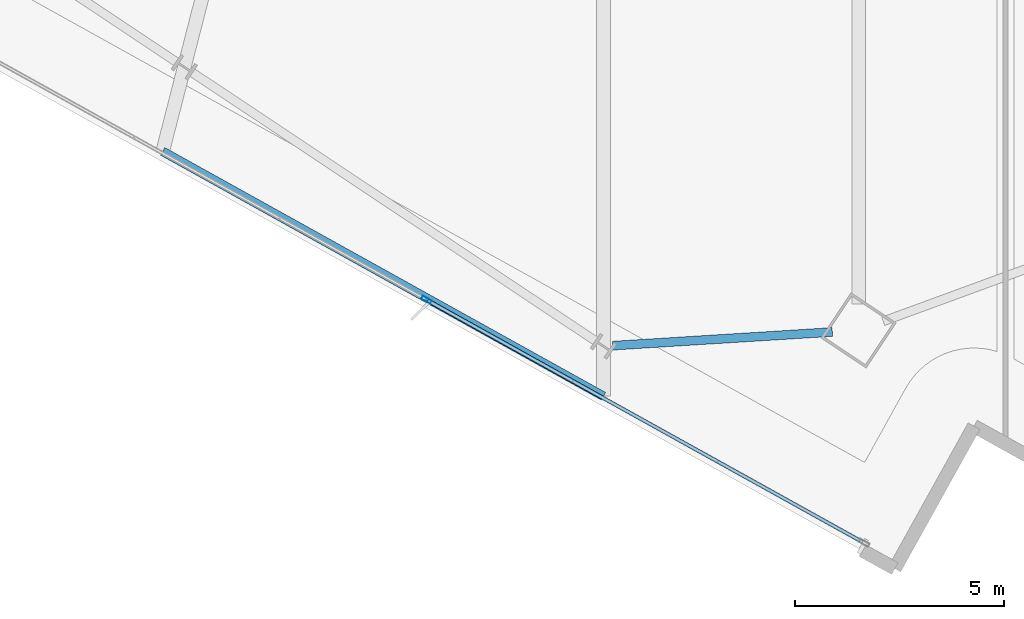
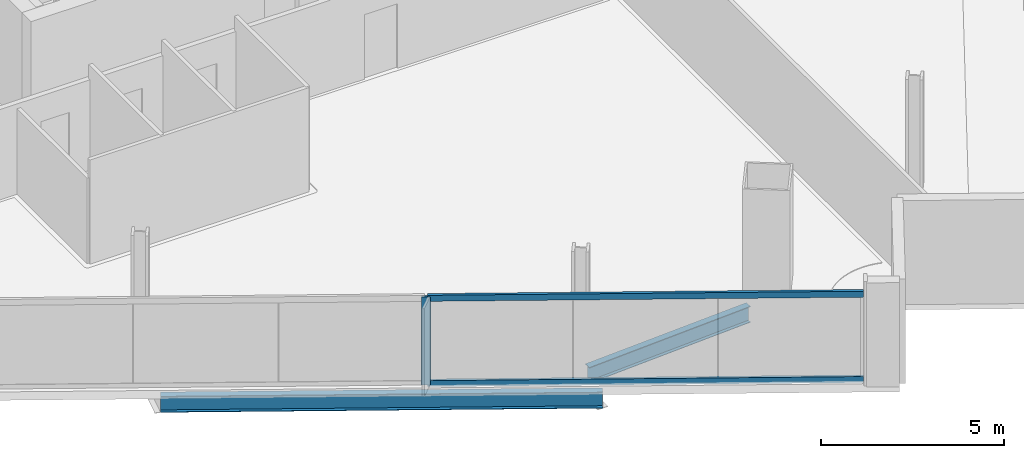
# One storey, part 3 of 28: 3 members, 2 beams, 1 element without a shape of its own.
"""IFC4 building model written with IfcOpenShell, lengths in metres."""

from ifc_helpers import new_model, si_unit, direction, frame, origin, origin_2d, place, context, subcontext, project, spatial, hollow_rectangle, i_section, extrude, material, material_profile, profile_set, type_object, element, aggregate, save


model = new_model("IFC4")

# Units and contexts
model_context = context("Model", 3, precision=1e-05, world=origin(), true_north=direction((0.0, 1.0)))
body_context = subcontext(model_context, "Body", "Model", "MODEL_VIEW")
ifc_project = project(units=[si_unit("LENGTHUNIT", "METRE"), si_unit("AREAUNIT", "SQUARE_METRE"), si_unit("VOLUMEUNIT", "CUBIC_METRE"), si_unit("PLANEANGLEUNIT", "RADIAN"), si_unit("MASSUNIT", "GRAM", prefix="KILO")], contexts=[model_context])

# Site, building, storey
site_placement = place(None, origin())
site = spatial("IfcSite", under=ifc_project, at=site_placement, CompositionType="ELEMENT")
building_placement = place(site_placement, origin())
building = spatial("IfcBuilding", under=site, at=building_placement, Name="Haldenkirk Collegiate Tower", CompositionType="ELEMENT")
storey_placement = place(building_placement, frame((0.0, 0.0, 232.199951171875)))
storey = spatial("IfcBuildingStorey", under=building, at=storey_placement, Name="L58", CompositionType="ELEMENT", Elevation=232.199951171875)

# Beams
ifc_material_1 = material(Name="Steel ASTM A992 Grade 50", Category="steel")
ifc_material_profile_1 = material_profile(ifc_material_1, i_section(OverallWidth=0.2099609375, OverallDepth=0.537109375, WebThickness=0.010986328125, FlangeThickness=0.017333984375, at=origin_2d()), Name="W21X68")
ifc_profile_set_1 = profile_set([ifc_material_profile_1], Name="Steel ASTM A992 Grade 50")
beam_type = type_object("IfcBeamType", Name="BM-SPANDREL-W21X68", PredefinedType="SPANDREL", material=ifc_profile_set_1)
beam_1_placement = place(storey_placement, frame((34.59326171875, 0.966064453125, -0.54833984375), z_axis=(0.99806607268, 0.062162002577, 0.0), x_axis=(-0.062162002577, 0.99806607268, 0.0)))
element("IfcBeam", 1, at=beam_1_placement, inside=storey, type_object=beam_type, Name="L58 perimeter spandrel beam 16", PredefinedType="SPANDREL", context=body_context, shape_type="SweptSolid", body=[
    extrude(i_section(OverallWidth=0.2099609375, OverallDepth=0.537109375, WebThickness=0.010986328125, FlangeThickness=0.017333984375, at=origin_2d()), origin(), (0.0, 0.0, 1.0), 5.270751953125),
])
beam_2_placement = place(storey_placement, frame((23.8271484375, 5.616455078125, -0.54833984375), z_axis=(0.874192582262, -0.485579374684, 0.0), x_axis=(0.485579374684, 0.874192582262, 0.0)))
element("IfcBeam", 2, at=beam_2_placement, inside=storey, type_object=beam_type, Name="L58 outer facade edge beam 4", PredefinedType="SPANDREL", context=body_context, shape_type="SweptSolid", body=[
    extrude(i_section(OverallWidth=0.2099609375, OverallDepth=0.537109375, WebThickness=0.010986328125, FlangeThickness=0.017333984375, at=origin_2d()), origin(), (0.0, 0.0, 1.0), 12.06787109375),
])

# Curtain wall, members
ifc_material_2 = material(Name="Anodised architectural bronze aluminium", Category="aluminium")
curtain_wall_type = type_object("IfcCurtainWallType", Name="CW-SYS1B-CONVEX-HI", PredefinedType="USERDEFINED", material=ifc_material_2)
curtain_wall_placement = place(storey_placement, origin())
curtain_wall = element("IfcCurtainWall", 3, at=curtain_wall_placement, inside=storey, type_object=curtain_wall_type, Name="L58 Upper tower high-wind convex bronze unitised curtain wall", ObjectType="UNITISED CURTAIN WALL", PredefinedType="USERDEFINED")
ifc_material_profile_2 = material_profile(ifc_material_2, hollow_rectangle(XDim=0.0849609375, YDim=0.25, WallThickness=0.0048828125, at=origin_2d()), Name="CW-MUL-1B")
ifc_profile_set_2 = profile_set([ifc_material_profile_2], Name="Anodised architectural bronze aluminium")
member_type_1 = type_object("IfcMemberType", Name="CW-MUL-1B", PredefinedType="MULLION", material=ifc_profile_set_2)
member_1_placement = place(storey_placement, frame((30.14013671875, 2.064208984375, 0.0), z_axis=(0.0, 0.0, 1.0), x_axis=(-0.485574440308, -0.874195323094, 0.0)))
member_1 = element("IfcMember", 4, at=member_1_placement, type_object=member_type_1, Name="CW-1B mullion 2", PredefinedType="MULLION", context=body_context, shape_type="SweptSolid", body=[
    extrude(hollow_rectangle(XDim=0.0849609375, YDim=0.25, WallThickness=0.0048828125, at=origin_2d()), origin(), (0.0, 0.0, 1.0), 2.927978515625),
])
ifc_material_profile_3 = material_profile(ifc_material_2, hollow_rectangle(XDim=0.0849609375, YDim=0.199951171875, WallThickness=0.0048828125, at=origin_2d()), Name="CW-TRN-1B")
ifc_profile_set_3 = profile_set([ifc_material_profile_3], Name="Anodised architectural bronze aluminium")
member_type_2 = type_object("IfcMemberType", Name="CW-TRN-1B", PredefinedType="USERDEFINED", material=ifc_profile_set_3)
member_2_placement = place(storey_placement, frame((40.578125, -3.733642578125, 0.04248046875), z_axis=(-0.874198893945, 0.485568011535, 0.0), x_axis=(-0.485568011535, -0.874198893945, 0.0)))
member_2 = element("IfcMember", 5, at=member_2_placement, type_object=member_type_2, Name="CW-1B transom 1.1", ObjectType="TRANSOM", PredefinedType="USERDEFINED", context=body_context, shape_type="SweptSolid", body=[
    extrude(hollow_rectangle(XDim=0.0849609375, YDim=0.199951171875, WallThickness=0.0048828125, at=origin_2d()), origin(), (0.0, 0.0, 1.0), 11.897705078125),
])
member_3_placement = place(storey_placement, frame((40.578125, -3.733642578125, 2.885498046875), z_axis=(-0.874198893945, 0.485568011535, 0.0), x_axis=(-0.485568011535, -0.874198893945, 0.0)))
member_3 = element("IfcMember", 6, at=member_3_placement, type_object=member_type_2, Name="CW-1B transom 1.2", ObjectType="TRANSOM", PredefinedType="USERDEFINED", context=body_context, shape_type="SweptSolid", body=[
    extrude(hollow_rectangle(XDim=0.0849609375, YDim=0.199951171875, WallThickness=0.0048828125, at=origin_2d()), origin(), (0.0, 0.0, 1.0), 11.897705078125),
])
aggregate(curtain_wall, [member_1, member_2, member_3])

save(model, "model.ifc")
